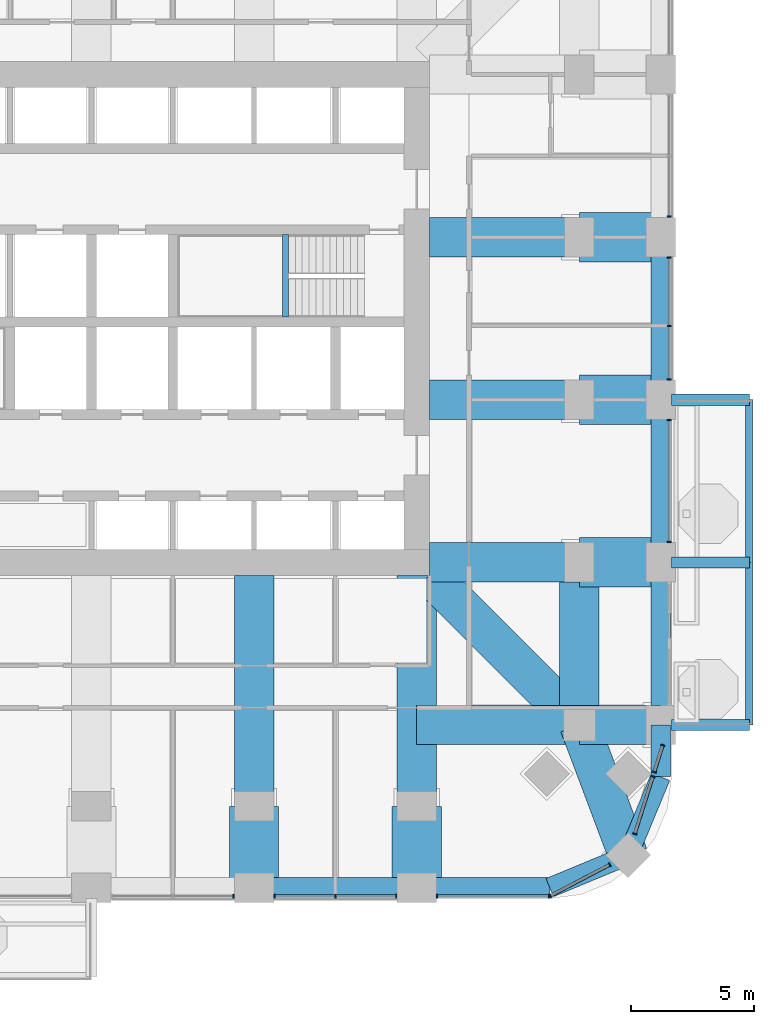
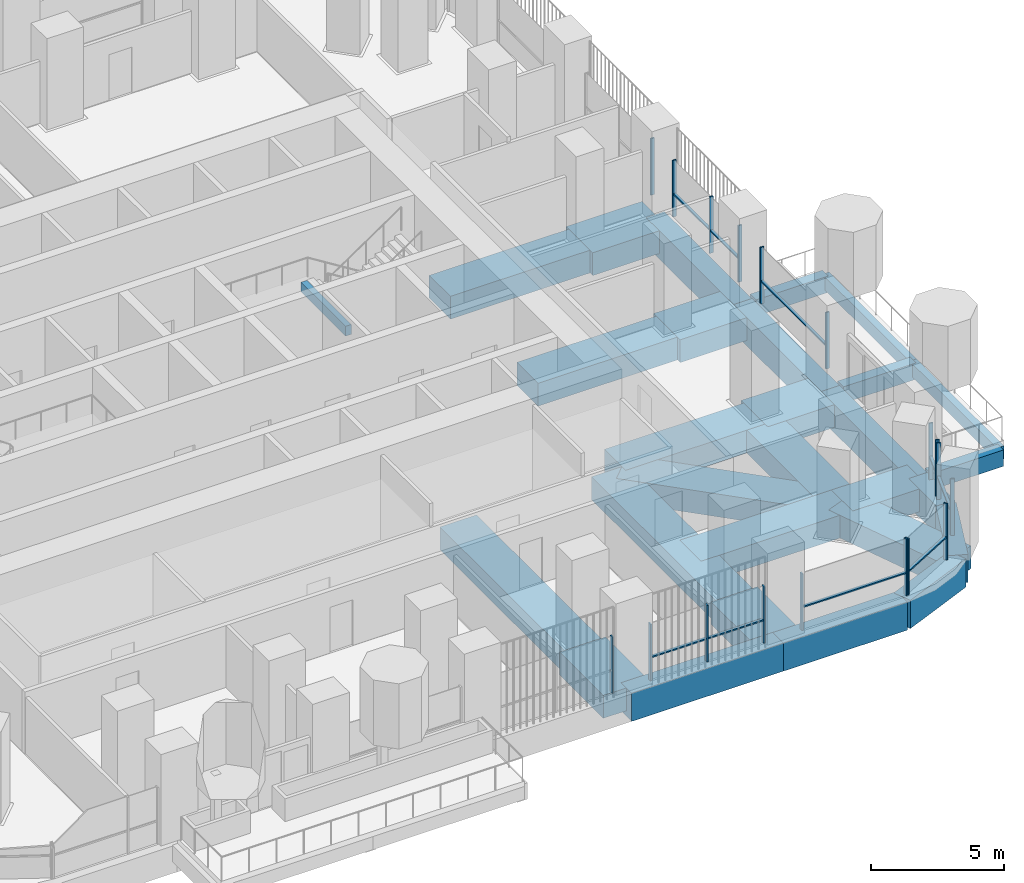
# One storey, part 5 of 21: 29 beams, 27 members, 9 elements without a shape of their own.
"""IFC4 building model written with IfcOpenShell, lengths in metres."""

import ifcopenshell
import ifcopenshell.guid

model = None  # the IFC model being written
_history = None  # IfcOwnerHistory: only IFC2X3 demands one
_inside = {}  # id of a spatial element -> (the spatial element, [elements in it])
_under = {}  # id of a project, library or spatial element -> (it, [spatial elements below it])
_declared = {}  # id of a project -> (the project, [libraries it declares])
_typed = {}  # id of a type object -> (the type object, [elements of that type])
_made_of = {}  # id of a material, layer set ... -> (it, [elements and type objects made of it])


def new_model(schema):
    """Start an empty IFC model of exactly this schema.

    Asked for "IFC4X3", IfcOpenShell would pick the latest addendum, in which some entities
    have other attributes; the version numbers below select the first issue.
    IFC2X3 requires an IfcOwnerHistory on every rooted entity: one is made here for all.
    """
    global model, _history
    if schema == "IFC4X3":
        model = ifcopenshell.file(schema_version=(4, 3, 0, 0))
    else:
        model = ifcopenshell.file(schema=schema)
    _inside.clear()
    _under.clear()
    _declared.clear()
    _typed.clear()
    _made_of.clear()
    _history = None
    if model.schema == "IFC2X3":
        org = make("IfcOrganization", Name="unknown")
        user = make(
            "IfcPersonAndOrganization",
            ThePerson=make("IfcPerson", FamilyName="unknown"),
            TheOrganization=org,
        )
        app = make(
            "IfcApplication",
            ApplicationDeveloper=org,
            Version="unknown",
            ApplicationFullName="unknown",
            ApplicationIdentifier="unknown",
        )
        _history = make(
            "IfcOwnerHistory",
            OwningUser=user,
            OwningApplication=app,
            ChangeAction="ADDED",
            CreationDate=0,
        )
    return model


def make(cls, **values):
    """One entity of the class cls with the attributes given. An attribute that is None is left unset."""
    return model.create_entity(
        cls, **{name: value for name, value in values.items() if value is not None}
    )


def rooted(cls, **values):
    """An entity with a GlobalId (a new one), such as an element, a storey or a relation."""
    return make(cls, GlobalId=ifcopenshell.guid.new(), OwnerHistory=_history, **values)


def si_unit(unit_type, name, prefix=None):
    """IfcSIUnit, for example si_unit("LENGTHUNIT", "METRE", prefix="MILLI")."""
    return make("IfcSIUnit", UnitType=unit_type, Prefix=prefix, Name=name)


def assignment(units):
    """IfcUnitAssignment: the units of a project."""
    return None if units is None else make("IfcUnitAssignment", Units=units)


def point(xyz):
    """IfcCartesianPoint."""
    return None if xyz is None else make("IfcCartesianPoint", Coordinates=xyz)


def direction(xyz):
    """IfcDirection."""
    return None if xyz is None else make("IfcDirection", DirectionRatios=xyz)


def frame(location, z_axis=None, x_axis=None):
    """IfcAxis2Placement3D, a coordinate frame: its origin and axes. An axis left out is left unset."""
    return make(
        "IfcAxis2Placement3D",
        Location=point(location),
        Axis=direction(z_axis),
        RefDirection=direction(x_axis),
    )


def frame_2d(location, x_axis=None):
    """IfcAxis2Placement2D, a coordinate frame in the plane: its origin and x axis."""
    return make(
        "IfcAxis2Placement2D", Location=point(location), RefDirection=direction(x_axis)
    )


def origin():
    """The frame at (0, 0, 0) with its axes left unset."""
    return frame((0.0, 0.0, 0.0))


def origin_2d():
    """The frame at (0, 0) in the plane with its x axis left unset."""
    return frame_2d((0.0, 0.0))


def place(relative_to, where):
    """IfcLocalPlacement: puts the frame where relative to a parent placement (None: the world)."""
    return make(
        "IfcLocalPlacement", PlacementRelTo=relative_to, RelativePlacement=where
    )


def context(
    kind, dimensions, precision=None, world=None, true_north=None, identifier=None
):
    """IfcGeometricRepresentationContext, for example the 3D "Model" context."""
    return make(
        "IfcGeometricRepresentationContext",
        ContextIdentifier=identifier,
        ContextType=kind,
        CoordinateSpaceDimension=dimensions,
        Precision=precision,
        WorldCoordinateSystem=world,
        TrueNorth=true_north,
    )


def subcontext(parent, identifier, kind, view, scale=None):
    """IfcGeometricRepresentationSubContext, for example "Body" below "Model"."""
    return make(
        "IfcGeometricRepresentationSubContext",
        ContextIdentifier=identifier,
        ContextType=kind,
        ParentContext=parent,
        TargetScale=scale,
        TargetView=view,
    )


def project(units=None, contexts=None):
    """IfcProject with its units and contexts."""
    return rooted(
        "IfcProject",
        Name="project",
        RepresentationContexts=contexts,
        UnitsInContext=assignment(units),
    )


def spatial(cls, under=None, at=None, **own):
    """A site, building, storey or space (cls), placed at a placement, below another one or the project."""
    s = rooted(cls, ObjectPlacement=at, **own)
    if under is not None:
        _under.setdefault(under.id(), (under, []))[1].append(s)
    return s


def profile(cls, at=None, kind="AREA", **sizes):
    """A parametric profile (cls). Its sizes go by their IFC names, for example OverallWidth=200.0."""
    return make(cls, ProfileType=kind, Position=at, **sizes)


def rectangle(**sizes):
    """IfcRectangleProfileDef."""
    return profile("IfcRectangleProfileDef", **sizes)


def extrude(swept, where, along, depth):
    """IfcExtrudedAreaSolid: the profile swept, set in the frame where, extruded along a direction by depth."""
    return make(
        "IfcExtrudedAreaSolid",
        SweptArea=swept,
        Position=where,
        ExtrudedDirection=direction(along),
        Depth=depth,
    )


def shape(context_of_items, identifier, shape_type, items):
    """IfcShapeRepresentation: the items that make up one representation, for example the "Body"."""
    return make(
        "IfcShapeRepresentation",
        ContextOfItems=context_of_items,
        RepresentationIdentifier=identifier,
        RepresentationType=shape_type,
        Items=items,
    )


def material(Name=None, Category=None):
    """IfcMaterial."""
    return make("IfcMaterial", Name=Name, Category=Category)


def material_profile(
    of_material, cross_section, Name=None, Category=None, Priority=None
):
    """IfcMaterialProfile: a cross section and its material."""
    return make(
        "IfcMaterialProfile",
        Name=Name,
        Material=of_material,
        Profile=cross_section,
        Priority=Priority,
        Category=Category,
    )


def profile_set(profiles, Name=None, composite=None):
    """IfcMaterialProfileSet."""
    return make(
        "IfcMaterialProfileSet",
        Name=Name,
        MaterialProfiles=profiles,
        CompositeProfile=composite,
    )


def made_of(thing, what):
    """Note that an element or type object is made of a material, layer set ...; save() writes the relation."""
    if what is not None:
        _made_of.setdefault(what.id(), (what, []))[1].append(thing)
    return thing


def type_object(cls, material=None, **own):
    """A type object (cls), such as IfcWallType, which elements share."""
    return made_of(rooted(cls, **own), material)


def element(
    cls,
    number,
    at=None,
    inside=None,
    cuts=None,
    type_object=None,
    material=None,
    context=None,
    identifier="Body",
    shape_type=None,
    held_by="IfcProductDefinitionShape",
    body=None,
    shapes=None,
    **own,
):
    """One element of the class cls, such as IfcWall. Its Tag is "e" and its number.

    at: its placement. inside: the storey or other place that contains it. cuts: it is an
    opening in that element (IfcRelVoidsElement). A single representation is given by context,
    identifier, shape_type and body (its items); several are given by shapes. held_by: the class
    of the entity that holds the representations. save() writes the other relations.
    """
    e = rooted(cls, Tag="e%d" % number, ObjectPlacement=at, **own)
    if body is not None:
        shapes = [shape(context, identifier, shape_type, body)]
    if shapes is not None:
        e.Representation = make(held_by, Representations=shapes)
    if inside is not None:
        _inside.setdefault(inside.id(), (inside, []))[1].append(e)
    if cuts is not None:
        rooted(
            "IfcRelVoidsElement", RelatingBuildingElement=cuts, RelatedOpeningElement=e
        )
    if type_object is not None:
        _typed.setdefault(type_object.id(), (type_object, []))[1].append(e)
    return made_of(e, material)


def aggregate(whole, parts):
    """IfcRelAggregates: a whole, such as a stair, and the parts it consists of."""
    return rooted("IfcRelAggregates", RelatingObject=whole, RelatedObjects=parts)


def save(model, path):
    """Write the relations noted so far, then the file.

    IfcRelAggregates (storeys below a building ...), IfcRelContainedInSpatialStructure (elements
    in a storey), IfcRelDefinesByType, IfcRelAssociatesMaterial and IfcRelDeclares: one each for
    every whole, place, type object, material and project.
    """
    for whole, parts in _under.values():
        aggregate(whole, parts)
    for where, things in _inside.values():
        rooted(
            "IfcRelContainedInSpatialStructure",
            RelatedElements=things,
            RelatingStructure=where,
        )
    for kind, things in _typed.values():
        rooted("IfcRelDefinesByType", RelatedObjects=things, RelatingType=kind)
    for what, things in _made_of.values():
        rooted("IfcRelAssociatesMaterial", RelatedObjects=things, RelatingMaterial=what)
    for by, libraries in _declared.values():
        rooted("IfcRelDeclares", RelatingContext=by, RelatedDefinitions=libraries)
    model.write(path)


model = new_model("IFC4")

# Units and contexts
model_context = context("Model", 3, precision=1e-05, world=origin(), true_north=direction((0.0, 1.0)))
body_context = subcontext(model_context, "Body", "Model", "MODEL_VIEW")
ifc_project = project(units=[si_unit("LENGTHUNIT", "METRE"), si_unit("AREAUNIT", "SQUARE_METRE"), si_unit("VOLUMEUNIT", "CUBIC_METRE"), si_unit("PLANEANGLEUNIT", "RADIAN"), si_unit("MASSUNIT", "GRAM", prefix="KILO")], contexts=[model_context])

# Site, building, storey
site_placement = place(None, origin())
site = spatial("IfcSite", under=ifc_project, at=site_placement, CompositionType="ELEMENT")
building_placement = place(site_placement, origin())
building = spatial("IfcBuilding", under=site, at=building_placement, Name="Cobogo Forest Laboratory Tower", CompositionType="ELEMENT")
storey_placement = place(building_placement, frame((0.0, 0.0, 141.0)))
storey = spatial("IfcBuildingStorey", under=building, at=storey_placement, Name="L32", CompositionType="ELEMENT", Elevation=141.0)

# Beams
ifc_material_1 = material(Name="Concrete HA-40 (C40/50)", Category="concrete")
ifc_material_profile_1 = material_profile(ifc_material_1, rectangle(XDim=0.449951171875, YDim=0.75, at=origin_2d()), Name="RC 450x750")
ifc_profile_set_1 = profile_set([ifc_material_profile_1], Name="Concrete HA-40 (C40/50)")
beam_type_1 = type_object("IfcBeamType", Name="Balcony cantilever beam 450x750", PredefinedType="BEAM", material=ifc_profile_set_1)
for number, where, z_axis, x_axis, name in (
    (1, (49.949951171875, 6.60009765625, -0.625), (1.0, 0.0, 0.0), (0.0, 1.0, 0.0), "CB1 BAL-E1-C1 L32"),
    (2, (49.949951171875, 13.199951171875, -0.625), (1.0, 0.0, 0.0), (0.0, 1.0, 0.0), "CB1 BAL-E1-C2 L32"),
    (3, (49.949951171875, 19.800048828125, -0.625), (1.0, 0.0, 0.0), (0.0, 1.0, 0.0), "CB1 BAL-E1-C3 L32"),
):
    element("IfcBeam", number, at=place(storey_placement, frame(where, z_axis=z_axis, x_axis=x_axis)), inside=storey, type_object=beam_type_1, Name=name, PredefinedType="BEAM", context=body_context, shape_type="SweptSolid", body=[
        extrude(rectangle(XDim=0.449951171875, YDim=0.75, at=origin_2d()), origin(), (0.0, 0.0, 1.0), 3.150146484375),
    ])
ifc_material_profile_2 = material_profile(ifc_material_1, rectangle(XDim=0.300048828125, YDim=0.60009765625, at=origin_2d()), Name="RC 300x600")
ifc_profile_set_2 = profile_set([ifc_material_profile_2], Name="Concrete HA-40 (C40/50)")
beam_type_2 = type_object("IfcBeamType", Name="Balcony edge beam 300x600", PredefinedType="BEAM", material=ifc_profile_set_2)
beam_1_placement = place(storey_placement, frame((53.10009765625, 6.60009765625, -0.550048828125), z_axis=(0.0, 1.0, 0.0), x_axis=(-1.0, 0.0, 0.0)))
element("IfcBeam", 4, at=beam_1_placement, inside=storey, type_object=beam_type_2, Name="BB1 BAL-E1-T1 L32", PredefinedType="BEAM", context=body_context, shape_type="SweptSolid", body=[
    extrude(rectangle(XDim=0.300048828125, YDim=0.60009765625, at=origin_2d()), origin(), (0.0, 0.0, 1.0), 6.599853515625),
])
beam_2_placement = place(storey_placement, frame((53.10009765625, 13.199951171875, -0.550048828125), z_axis=(0.0, 1.0, 0.0), x_axis=(-1.0, 0.0, 0.0)))
element("IfcBeam", 5, at=beam_2_placement, inside=storey, type_object=beam_type_2, Name="BB1 BAL-E1-T2 L32", PredefinedType="BEAM", context=body_context, shape_type="SweptSolid", body=[
    extrude(rectangle(XDim=0.300048828125, YDim=0.60009765625, at=origin_2d()), origin(), (0.0, 0.0, 1.0), 6.60009765625),
])
ifc_material_2 = material(Name="Concrete HA-50 (C50/60)", Category="concrete")
ifc_material_profile_3 = material_profile(ifc_material_2, rectangle(XDim=2.0, YDim=1.050048828125, at=origin_2d()), Name="RC 2000x1050")
ifc_profile_set_3 = profile_set([ifc_material_profile_3], Name="Concrete HA-50 (C50/60)")
beam_type_3 = type_object("IfcBeamType", Name="End-bay wide beam 2000x1050", PredefinedType="BEAM", material=ifc_profile_set_3)
for number, where, z_axis, x_axis, name in (
    (6, (33.0, 0.0, -0.824951171875), (0.0, 1.0, 0.0), (-1.0, 0.0, 0.0), "RB7 R-6-S-X L32"),
    (7, (39.60009765625, 0.0, -0.824951171875), (0.0, 1.0, 0.0), (-1.0, 0.0, 0.0), "RB7 R-7-S-X L32"),
    (8, (49.5, 13.199951171875, -0.824951171875), (-1.0, 0.0, 0.0), (0.0, -1.0, 0.0), "RB7 R-C-E-X L32"),
    (9, (49.5, 19.800048828125, -0.824951171875), (-1.0, 0.0, 0.0), (0.0, -1.0, 0.0), "RB7 R-D-E-X L32"),
    (10, (49.5, 26.39990234375, -0.824951171875), (-1.0, 0.0, 0.0), (0.0, -1.0, 0.0), "RB7 R-E-E-X L32"),
):
    element("IfcBeam", number, at=place(storey_placement, frame(where, z_axis=z_axis, x_axis=x_axis)), inside=storey, type_object=beam_type_3, Name=name, PredefinedType="BEAM", context=body_context, shape_type="SweptSolid", body=[
        extrude(rectangle(XDim=2.0, YDim=1.050048828125, at=origin_2d()), origin(), (0.0, 0.0, 1.0), 3.300048828125),
    ])
ifc_material_profile_4 = material_profile(ifc_material_1, rectangle(XDim=0.25, YDim=0.449951171875, at=origin_2d()), Name="RC 250x450")
ifc_profile_set_4 = profile_set([ifc_material_profile_4], Name="Concrete HA-40 (C40/50)")
beam_type_4 = type_object("IfcBeamType", Name="LB1 landing beam 250x450", PredefinedType="BEAM", material=ifc_profile_set_4)
beam_3_placement = place(storey_placement, frame((34.27001953125, 23.14990234375, 1.675048828125), z_axis=(0.0, 1.0, 0.0), x_axis=(-1.0, 0.0, 0.0)))
element("IfcBeam", 11, at=beam_3_placement, inside=storey, type_object=beam_type_4, Name="Landing beam ST2 L32", PredefinedType="BEAM", context=body_context, shape_type="SweptSolid", body=[
    extrude(rectangle(XDim=0.25, YDim=0.449951171875, at=origin_2d()), origin(), (0.0, 0.0, 1.0), 3.35009765625),
])
ifc_material_profile_5 = material_profile(ifc_material_2, rectangle(XDim=1.60009765625, YDim=1.050048828125, at=origin_2d()), Name="RC 1600x1050")
ifc_profile_set_5 = profile_set([ifc_material_profile_5], Name="Concrete HA-50 (C50/60)")
beam_type_5 = type_object("IfcBeamType", Name="Laboratory floor wide beam 1600x1050", PredefinedType="BEAM", material=ifc_profile_set_5)
for number, where, z_axis, x_axis, name in (
    (12, (33.0, 12.675048828125, -0.824951171875), (0.0, -1.0, 0.0), (1.0, 0.0, 0.0), "RB8 R-6-S L32"),
    (13, (39.60009765625, 12.675048828125, -0.824951171875), (0.0, -1.0, 0.0), (1.0, 0.0, 0.0), "RB8 R-7-S L32"),
):
    element("IfcBeam", number, at=place(storey_placement, frame(where, z_axis=z_axis, x_axis=x_axis)), inside=storey, type_object=beam_type_5, Name=name, PredefinedType="BEAM", context=body_context, shape_type="SweptSolid", body=[
        extrude(rectangle(XDim=1.60009765625, YDim=1.050048828125, at=origin_2d()), origin(), (0.0, 0.0, 1.0), 9.375),
    ])
for number, where, z_axis, x_axis, name in (
    (14, (40.125, 13.199951171875, -0.824951171875), (1.0, 0.0, 0.0), (0.0, 1.0, 0.0), "RB8 R-C-E L32"),
    (15, (40.125, 19.800048828125, -0.824951171875), (1.0, 0.0, 0.0), (0.0, 1.0, 0.0), "RB8 R-D-E L32"),
    (16, (40.125, 26.39990234375, -0.824951171875), (1.0, 0.0, 0.0), (0.0, 1.0, 0.0), "RB8 R-E-E L32"),
):
    element("IfcBeam", number, at=place(storey_placement, frame(where, z_axis=z_axis, x_axis=x_axis)), inside=storey, type_object=beam_type_5, Name=name, PredefinedType="BEAM", context=body_context, shape_type="SweptSolid", body=[
        extrude(rectangle(XDim=1.60009765625, YDim=1.050048828125, at=origin_2d()), origin(), (0.0, 0.0, 1.0), 6.074951171875),
    ])
beam_4_placement = place(storey_placement, frame((46.199951171875, 6.60009765625, -0.824951171875), z_axis=(0.0, 1.0, 0.0), x_axis=(-1.0, 0.0, 0.0)))
element("IfcBeam", 17, at=beam_4_placement, inside=storey, type_object=beam_type_5, Name="RB8 G-SE-XC L32", PredefinedType="BEAM", context=body_context, shape_type="SweptSolid", body=[
    extrude(rectangle(XDim=1.60009765625, YDim=1.050048828125, at=origin_2d()), origin(), (0.0, 0.0, 1.0), 6.599853515625),
])
beam_5_placement = place(storey_placement, frame((49.5, 6.60009765625, -0.824951171875), z_axis=(-1.0, 0.0, 0.0), x_axis=(0.0, -1.0, 0.0)))
element("IfcBeam", 18, at=beam_5_placement, inside=storey, type_object=beam_type_5, Name="RB8 G-SE-YF L32", PredefinedType="BEAM", context=body_context, shape_type="SweptSolid", body=[
    extrude(rectangle(XDim=1.60009765625, YDim=1.050048828125, at=origin_2d()), origin(), (0.0, 0.0, 1.0), 3.300048828125),
])
beam_6_placement = place(storey_placement, frame((46.199951171875, 6.60009765625, -0.824951171875), z_axis=(-1.0, 0.0, 0.0), x_axis=(0.0, -1.0, 0.0)))
element("IfcBeam", 19, at=beam_6_placement, inside=storey, type_object=beam_type_5, Name="RB8 G-SE-YC L32", PredefinedType="BEAM", context=body_context, shape_type="SweptSolid", body=[
    extrude(rectangle(XDim=1.60009765625, YDim=1.050048828125, at=origin_2d()), origin(), (0.0, 0.0, 1.0), 6.599853515625),
])
beam_7_placement = place(storey_placement, frame((48.181884765625, 1.318115234375, -0.824951171875), z_axis=(-0.351308391925, 0.936259800356, 0.0), x_axis=(-0.936259800356, -0.351308391925, 0.0)))
element("IfcBeam", 20, at=beam_7_placement, inside=storey, type_object=beam_type_5, Name="RB8 G-SE-D1 L32", PredefinedType="BEAM", context=body_context, shape_type="SweptSolid", body=[
    extrude(rectangle(XDim=1.60009765625, YDim=1.050048828125, at=origin_2d()), origin(), (0.0, 0.0, 1.0), 5.6416015625),
])
beam_8_placement = place(storey_placement, frame((46.199951171875, 6.60009765625, -0.824951171875), z_axis=(-0.707106781187, 0.707106781187, 0.0), x_axis=(-0.707106781187, -0.707106781187, 0.0)))
element("IfcBeam", 21, at=beam_8_placement, inside=storey, type_object=beam_type_5, Name="RB8 G-SE-D2 L32", PredefinedType="BEAM", context=body_context, shape_type="SweptSolid", body=[
    extrude(rectangle(XDim=1.60009765625, YDim=1.050048828125, at=origin_2d()), origin(), (0.0, 0.0, 1.0), 8.59130859375),
])

# Curtain wall, member
ifc_material_3 = material(Name="Aluminium curtain wall", Category="aluminium")
curtain_wall_type = type_object("IfcCurtainWallType", Name="CW-1 unitised curtain wall, clear glazing, laboratory floors zones A and B", PredefinedType="USERDEFINED", material=ifc_material_3)
curtain_wall_1_placement = place(storey_placement, origin())
curtain_wall_1 = element("IfcCurtainWall", 22, at=curtain_wall_1_placement, inside=storey, type_object=curtain_wall_type, Name="Curtain wall 04 L32", ObjectType="UNITISED CURTAIN WALL", PredefinedType="USERDEFINED")
ifc_material_4 = material(Name="Aluminium mullion", Category="aluminium")
ifc_material_profile_6 = material_profile(ifc_material_4, rectangle(XDim=0.06005859375, YDim=0.159912109375, at=origin_2d()), Name="AL 60x160")
ifc_profile_set_6 = profile_set([ifc_material_profile_6], Name="Aluminium mullion")
member_type_1 = type_object("IfcMemberType", Name="MU-1 aluminium mullion 60x160", PredefinedType="MULLION", material=ifc_profile_set_6)
member_1_placement = place(storey_placement, frame((32.169921875, -0.35009765625, 0.0), z_axis=(0.0, 0.0, 1.0), x_axis=(1.0, 0.0, 0.0)))
member_1 = element("IfcMember", 23, at=member_1_placement, type_object=member_type_1, Name="CW-1 mullion 3", PredefinedType="MULLION", context=body_context, shape_type="SweptSolid", body=[
    extrude(rectangle(XDim=0.06005859375, YDim=0.159912109375, at=origin_2d()), origin(), (0.0, 0.0, 1.0), 2.60009765625),
])
aggregate(curtain_wall_1, [member_1])

# Curtain wall, members
curtain_wall_2_placement = place(storey_placement, origin())
curtain_wall_2 = element("IfcCurtainWall", 24, at=curtain_wall_2_placement, inside=storey, type_object=curtain_wall_type, Name="Curtain wall 05 L32", ObjectType="UNITISED CURTAIN WALL", PredefinedType="USERDEFINED")
member_2_placement = place(storey_placement, frame((33.830078125, -0.35009765625, 0.0), z_axis=(0.0, 0.0, 1.0), x_axis=(1.0, 0.0, 0.0)))
member_2 = element("IfcMember", 25, at=member_2_placement, type_object=member_type_1, Name="CW-1 mullion 1", PredefinedType="MULLION", context=body_context, shape_type="SweptSolid", body=[
    extrude(rectangle(XDim=0.06005859375, YDim=0.159912109375, at=origin_2d()), origin(), (0.0, 0.0, 1.0), 2.60009765625),
])
member_3_placement = place(storey_placement, frame((36.300048828125, -0.35009765625, 0.0), z_axis=(0.0, 0.0, 1.0), x_axis=(1.0, 0.0, 0.0)))
member_3 = element("IfcMember", 26, at=member_3_placement, type_object=member_type_1, Name="CW-1 mullion 2", PredefinedType="MULLION", context=body_context, shape_type="SweptSolid", body=[
    extrude(rectangle(XDim=0.06005859375, YDim=0.159912109375, at=origin_2d()), origin(), (0.0, 0.0, 1.0), 2.60009765625),
])
member_4_placement = place(storey_placement, frame((38.77001953125, -0.35009765625, 0.0), z_axis=(0.0, 0.0, 1.0), x_axis=(1.0, 0.0, 0.0)))
member_4 = element("IfcMember", 27, at=member_4_placement, type_object=member_type_1, Name="CW-1 mullion 3", PredefinedType="MULLION", context=body_context, shape_type="SweptSolid", body=[
    extrude(rectangle(XDim=0.06005859375, YDim=0.159912109375, at=origin_2d()), origin(), (0.0, 0.0, 1.0), 2.60009765625),
])

curtain_wall_3_placement = place(storey_placement, origin())
curtain_wall_3 = element("IfcCurtainWall", 28, at=curtain_wall_3_placement, inside=storey, type_object=curtain_wall_type, Name="Curtain wall 06 L32", ObjectType="UNITISED CURTAIN WALL", PredefinedType="USERDEFINED")
member_5_placement = place(storey_placement, frame((40.429931640625, -0.35009765625, 0.0), z_axis=(0.0, 0.0, 1.0), x_axis=(1.0, 0.0, 0.0)))
member_5 = element("IfcMember", 29, at=member_5_placement, type_object=member_type_1, Name="CW-1 mullion 1", PredefinedType="MULLION", context=body_context, shape_type="SweptSolid", body=[
    extrude(rectangle(XDim=0.06005859375, YDim=0.159912109375, at=origin_2d()), origin(), (0.0, 0.0, 1.0), 2.60009765625),
])
member_6_placement = place(storey_placement, frame((44.969970703125, -0.35009765625, 0.0), z_axis=(0.0, 0.0, 1.0), x_axis=(1.0, 0.0, 0.0)))
member_6 = element("IfcMember", 30, at=member_6_placement, type_object=member_type_1, Name="CW-1 mullion 2", PredefinedType="MULLION", context=body_context, shape_type="SweptSolid", body=[
    extrude(rectangle(XDim=0.06005859375, YDim=0.159912109375, at=origin_2d()), origin(), (0.0, 0.0, 1.0), 2.60009765625),
])

curtain_wall_4_placement = place(storey_placement, origin())
curtain_wall_4 = element("IfcCurtainWall", 31, at=curtain_wall_4_placement, inside=storey, type_object=curtain_wall_type, Name="Curtain wall 07 L32", ObjectType="UNITISED CURTAIN WALL", PredefinedType="USERDEFINED")
member_7_placement = place(storey_placement, frame((45.026611328125, -0.336181640625, 0.0), z_axis=(0.0, 0.0, 1.0), x_axis=(0.885686547075, 0.464283685186, 0.0)))
member_7 = element("IfcMember", 32, at=member_7_placement, type_object=member_type_1, Name="CW-1 mullion 1", PredefinedType="MULLION", context=body_context, shape_type="SweptSolid", body=[
    extrude(rectangle(XDim=0.06005859375, YDim=0.159912109375, at=origin_2d()), origin(), (0.0, 0.0, 1.0), 2.60009765625),
])
member_8_placement = place(storey_placement, frame((47.431640625, 0.9248046875, 0.0), z_axis=(0.0, 0.0, 1.0), x_axis=(0.885686547075, 0.464283685186, 0.0)))
member_8 = element("IfcMember", 33, at=member_8_placement, type_object=member_type_1, Name="CW-1 mullion 2", PredefinedType="MULLION", context=body_context, shape_type="SweptSolid", body=[
    extrude(rectangle(XDim=0.06005859375, YDim=0.159912109375, at=origin_2d()), origin(), (0.0, 0.0, 1.0), 2.60009765625),
])

curtain_wall_5_placement = place(storey_placement, origin())
curtain_wall_5 = element("IfcCurtainWall", 34, at=curtain_wall_5_placement, inside=storey, type_object=curtain_wall_type, Name="Curtain wall 08 L32", ObjectType="UNITISED CURTAIN WALL", PredefinedType="USERDEFINED")
member_9_placement = place(storey_placement, frame((48.455810546875, 2.18505859375, 0.0), z_axis=(0.0, 0.0, 1.0), x_axis=(0.301135291996, 0.953581425949, 0.0)))
member_9 = element("IfcMember", 35, at=member_9_placement, type_object=member_type_1, Name="CW-1 mullion 1", PredefinedType="MULLION", context=body_context, shape_type="SweptSolid", body=[
    extrude(rectangle(XDim=0.06005859375, YDim=0.159912109375, at=origin_2d()), origin(), (0.0, 0.0, 1.0), 2.60009765625),
])
member_10_placement = place(storey_placement, frame((49.18701171875, 4.500244140625, 0.0), z_axis=(0.0, 0.0, 1.0), x_axis=(0.301135291996, 0.953581425949, 0.0)))
member_10 = element("IfcMember", 36, at=member_10_placement, type_object=member_type_1, Name="CW-1 mullion 2", PredefinedType="MULLION", context=body_context, shape_type="SweptSolid", body=[
    extrude(rectangle(XDim=0.06005859375, YDim=0.159912109375, at=origin_2d()), origin(), (0.0, 0.0, 1.0), 2.60009765625),
])

curtain_wall_6_placement = place(storey_placement, origin())
curtain_wall_6 = element("IfcCurtainWall", 37, at=curtain_wall_6_placement, inside=storey, type_object=curtain_wall_type, Name="Curtain wall 09 L32", ObjectType="UNITISED CURTAIN WALL", PredefinedType="USERDEFINED")
member_11_placement = place(storey_placement, frame((49.247802734375, 4.69287109375, 0.0), z_axis=(0.0, 0.0, 1.0), x_axis=(0.301135667865, 0.953581307252, 0.0)))
member_11 = element("IfcMember", 38, at=member_11_placement, type_object=member_type_1, Name="CW-1 mullion 1", PredefinedType="MULLION", context=body_context, shape_type="SweptSolid", body=[
    extrude(rectangle(XDim=0.06005859375, YDim=0.159912109375, at=origin_2d()), origin(), (0.0, 0.0, 1.0), 2.60009765625),
])
member_12_placement = place(storey_placement, frame((49.58837890625, 5.771484375, 0.0), z_axis=(0.0, 0.0, 1.0), x_axis=(0.301135667865, 0.953581307252, 0.0)))
member_12 = element("IfcMember", 39, at=member_12_placement, type_object=member_type_1, Name="CW-1 mullion 2", PredefinedType="MULLION", context=body_context, shape_type="SweptSolid", body=[
    extrude(rectangle(XDim=0.06005859375, YDim=0.159912109375, at=origin_2d()), origin(), (0.0, 0.0, 1.0), 2.60009765625),
])

curtain_wall_7_placement = place(storey_placement, origin())
curtain_wall_7 = element("IfcCurtainWall", 40, at=curtain_wall_7_placement, inside=storey, type_object=curtain_wall_type, Name="Curtain wall 11 L32", ObjectType="UNITISED CURTAIN WALL", PredefinedType="USERDEFINED")
member_13_placement = place(storey_placement, frame((49.85009765625, 14.030029296875, 0.0), z_axis=(0.0, 0.0, 1.0), x_axis=(0.0, 1.0, 0.0)))
member_13 = element("IfcMember", 41, at=member_13_placement, type_object=member_type_1, Name="CW-1 mullion 1", PredefinedType="MULLION", context=body_context, shape_type="SweptSolid", body=[
    extrude(rectangle(XDim=0.06005859375, YDim=0.159912109375, at=origin_2d()), origin(), (0.0, 0.0, 1.0), 2.60009765625),
])
member_14_placement = place(storey_placement, frame((49.85009765625, 18.969970703125, 0.0), z_axis=(0.0, 0.0, 1.0), x_axis=(0.0, 1.0, 0.0)))
member_14 = element("IfcMember", 42, at=member_14_placement, type_object=member_type_1, Name="CW-1 mullion 2", PredefinedType="MULLION", context=body_context, shape_type="SweptSolid", body=[
    extrude(rectangle(XDim=0.06005859375, YDim=0.159912109375, at=origin_2d()), origin(), (0.0, 0.0, 1.0), 2.60009765625),
])

curtain_wall_8_placement = place(storey_placement, origin())
curtain_wall_8 = element("IfcCurtainWall", 43, at=curtain_wall_8_placement, inside=storey, type_object=curtain_wall_type, Name="Curtain wall 12 L32", ObjectType="UNITISED CURTAIN WALL", PredefinedType="USERDEFINED")
member_15_placement = place(storey_placement, frame((49.85009765625, 20.6298828125, 0.0), z_axis=(0.0, 0.0, 1.0), x_axis=(0.0, 1.0, 0.0)))
member_15 = element("IfcMember", 44, at=member_15_placement, type_object=member_type_1, Name="CW-1 mullion 1", PredefinedType="MULLION", context=body_context, shape_type="SweptSolid", body=[
    extrude(rectangle(XDim=0.06005859375, YDim=0.159912109375, at=origin_2d()), origin(), (0.0, 0.0, 1.0), 2.60009765625),
])
member_16_placement = place(storey_placement, frame((49.85009765625, 22.800048828125, 0.0), z_axis=(0.0, 0.0, 1.0), x_axis=(0.0, 1.0, 0.0)))
member_16 = element("IfcMember", 45, at=member_16_placement, type_object=member_type_1, Name="CW-1 mullion 2", PredefinedType="MULLION", context=body_context, shape_type="SweptSolid", body=[
    extrude(rectangle(XDim=0.06005859375, YDim=0.159912109375, at=origin_2d()), origin(), (0.0, 0.0, 1.0), 2.60009765625),
])
member_17_placement = place(storey_placement, frame((49.85009765625, 25.570068359375, 0.0), z_axis=(0.0, 0.0, 1.0), x_axis=(0.0, 1.0, 0.0)))
member_17 = element("IfcMember", 46, at=member_17_placement, type_object=member_type_1, Name="CW-1 mullion 3", PredefinedType="MULLION", context=body_context, shape_type="SweptSolid", body=[
    extrude(rectangle(XDim=0.06005859375, YDim=0.159912109375, at=origin_2d()), origin(), (0.0, 0.0, 1.0), 2.60009765625),
])

# Curtain wall, member
curtain_wall_9_placement = place(storey_placement, origin())
curtain_wall_9 = element("IfcCurtainWall", 47, at=curtain_wall_9_placement, inside=storey, type_object=curtain_wall_type, Name="Curtain wall 13 L32", ObjectType="UNITISED CURTAIN WALL", PredefinedType="USERDEFINED")
member_18_placement = place(storey_placement, frame((49.85009765625, 27.22998046875, 0.0), z_axis=(0.0, 0.0, 1.0), x_axis=(0.0, 1.0, 0.0)))
member_18 = element("IfcMember", 48, at=member_18_placement, type_object=member_type_1, Name="CW-1 mullion 1", PredefinedType="MULLION", context=body_context, shape_type="SweptSolid", body=[
    extrude(rectangle(XDim=0.06005859375, YDim=0.159912109375, at=origin_2d()), origin(), (0.0, 0.0, 1.0), 2.60009765625),
])
aggregate(curtain_wall_9, [member_18])

# Beams
ifc_material_profile_7 = material_profile(ifc_material_1, rectangle(XDim=0.800048828125, YDim=1.300048828125, at=origin_2d()), Name="RC 800x1300")
ifc_profile_set_7 = profile_set([ifc_material_profile_7], Name="Concrete HA-40 (C40/50)")
beam_type_6 = type_object("IfcBeamType", Name="Perimeter edge beam 800x1300", PredefinedType="BEAM", material=ifc_profile_set_7)
beam_9_placement = place(storey_placement, frame((33.0, 0.0, -0.949951171875), z_axis=(1.0, 0.0, 0.0), x_axis=(0.0, 1.0, 0.0)))
element("IfcBeam", 49, at=beam_9_placement, inside=storey, type_object=beam_type_6, Name="EB2 E-S4 L32", PredefinedType="BEAM", context=body_context, shape_type="SweptSolid", body=[
    extrude(rectangle(XDim=0.800048828125, YDim=1.300048828125, at=origin_2d()), origin(), (0.0, 0.0, 1.0), 6.60009765625),
])
beam_10_placement = place(storey_placement, frame((49.5, 6.60009765625, -0.949951171875), z_axis=(0.0, 1.0, 0.0), x_axis=(-1.0, 0.0, 0.0)))
element("IfcBeam", 50, at=beam_10_placement, inside=storey, type_object=beam_type_6, Name="EB2 E-E1 L32", PredefinedType="BEAM", context=body_context, shape_type="SweptSolid", body=[
    extrude(rectangle(XDim=0.800048828125, YDim=1.300048828125, at=origin_2d()), origin(), (0.0, 0.0, 1.0), 6.599853515625),
])
beam_11_placement = place(storey_placement, frame((49.5, 13.199951171875, -0.949951171875), z_axis=(0.0, 1.0, 0.0), x_axis=(-1.0, 0.0, 0.0)))
element("IfcBeam", 51, at=beam_11_placement, inside=storey, type_object=beam_type_6, Name="EB2 E-E2 L32", PredefinedType="BEAM", context=body_context, shape_type="SweptSolid", body=[
    extrude(rectangle(XDim=0.800048828125, YDim=1.300048828125, at=origin_2d()), origin(), (0.0, 0.0, 1.0), 6.60009765625),
])
beam_12_placement = place(storey_placement, frame((49.5, 19.800048828125, -0.949951171875), z_axis=(0.0, 1.0, 0.0), x_axis=(-1.0, 0.0, 0.0)))
element("IfcBeam", 52, at=beam_12_placement, inside=storey, type_object=beam_type_6, Name="EB2 E-E3 L32", PredefinedType="BEAM", context=body_context, shape_type="SweptSolid", body=[
    extrude(rectangle(XDim=0.800048828125, YDim=1.300048828125, at=origin_2d()), origin(), (0.0, 0.0, 1.0), 6.599853515625),
])
beam_13_placement = place(storey_placement, frame((39.60009765625, 0.0, -0.949951171875), z_axis=(1.0, 0.0, 0.0), x_axis=(0.0, 1.0, 0.0)))
element("IfcBeam", 53, at=beam_13_placement, inside=storey, type_object=beam_type_6, Name="EB2 E-SES1 L32", PredefinedType="BEAM", context=body_context, shape_type="SweptSolid", body=[
    extrude(rectangle(XDim=0.800048828125, YDim=1.300048828125, at=origin_2d()), origin(), (0.0, 0.0, 1.0), 5.39990234375),
])
beam_14_placement = place(storey_placement, frame((45.0, 0.0, -0.949951171875), z_axis=(0.923865631356, 0.382716990999, 0.0), x_axis=(-0.382716990999, 0.923865631356, 0.0)))
element("IfcBeam", 54, at=beam_14_placement, inside=storey, type_object=beam_type_6, Name="EB2 E-SES2 L32", PredefinedType="BEAM", context=body_context, shape_type="SweptSolid", body=[
    extrude(rectangle(XDim=0.800048828125, YDim=1.300048828125, at=origin_2d()), origin(), (0.0, 0.0, 1.0), 3.444091796875),
])
beam_15_placement = place(storey_placement, frame((49.5, 6.60009765625, -0.949951171875), z_axis=(0.0, -1.0, 0.0), x_axis=(1.0, 0.0, 0.0)))
element("IfcBeam", 55, at=beam_15_placement, inside=storey, type_object=beam_type_6, Name="EB2 E-SEE1 L32", PredefinedType="BEAM", context=body_context, shape_type="SweptSolid", body=[
    extrude(rectangle(XDim=0.800048828125, YDim=1.300048828125, at=origin_2d()), origin(), (0.0, 0.0, 1.0), 2.10009765625),
])
beam_16_placement = place(storey_placement, frame((49.5, 4.5, -0.949951171875), z_axis=(-0.382716990999, -0.923865631356, 0.0), x_axis=(0.923865631356, -0.382716990999, 0.0)))
element("IfcBeam", 56, at=beam_16_placement, inside=storey, type_object=beam_type_6, Name="EB2 E-SEE2 L32", PredefinedType="BEAM", context=body_context, shape_type="SweptSolid", body=[
    extrude(rectangle(XDim=0.800048828125, YDim=1.300048828125, at=origin_2d()), origin(), (0.0, 0.0, 1.0), 3.444091796875),
])

# Member
ifc_material_5 = material(Name="Aluminium transom", Category="aluminium")
ifc_material_profile_8 = material_profile(ifc_material_5, rectangle(XDim=0.1201171875, YDim=0.06005859375, at=origin_2d()), Name="AL 60x120")
ifc_profile_set_8 = profile_set([ifc_material_profile_8], Name="Aluminium transom")
member_type_2 = type_object("IfcMemberType", Name="TR-1 aluminium transom 60x120", PredefinedType="USERDEFINED", material=ifc_profile_set_8)
member_19_placement = place(storey_placement, frame((33.860107421875, -0.35009765625, 1.050048828125), z_axis=(1.0, 0.0, 0.0), x_axis=(0.0, 1.0, 0.0)))
member_19 = element("IfcMember", 57, at=member_19_placement, type_object=member_type_2, Name="CW-1 transom 1.1", ObjectType="TRANSOM", PredefinedType="USERDEFINED", context=body_context, shape_type="SweptSolid", body=[
    extrude(rectangle(XDim=0.1201171875, YDim=0.06005859375, at=origin_2d()), origin(), (0.0, 0.0, 1.0), 2.409912109375),
])

member_20_placement = place(storey_placement, frame((36.330078125, -0.35009765625, 1.050048828125), z_axis=(1.0, 0.0, 0.0), x_axis=(0.0, 1.0, 0.0)))
member_20 = element("IfcMember", 58, at=member_20_placement, type_object=member_type_2, Name="CW-1 transom 2.1", ObjectType="TRANSOM", PredefinedType="USERDEFINED", context=body_context, shape_type="SweptSolid", body=[
    extrude(rectangle(XDim=0.1201171875, YDim=0.06005859375, at=origin_2d()), origin(), (0.0, 0.0, 1.0), 2.409912109375),
])

aggregate(curtain_wall_2, [member_2, member_3, member_4, member_19, member_20])

member_21_placement = place(storey_placement, frame((40.4599609375, -0.35009765625, 1.050048828125), z_axis=(1.0, 0.0, 0.0), x_axis=(0.0, 1.0, 0.0)))
member_21 = element("IfcMember", 59, at=member_21_placement, type_object=member_type_2, Name="CW-1 transom 1.1", ObjectType="TRANSOM", PredefinedType="USERDEFINED", context=body_context, shape_type="SweptSolid", body=[
    extrude(rectangle(XDim=0.1201171875, YDim=0.06005859375, at=origin_2d()), origin(), (0.0, 0.0, 1.0), 4.47998046875),
])

aggregate(curtain_wall_3, [member_5, member_6, member_21])

member_22_placement = place(storey_placement, frame((45.05322265625, -0.322021484375, 1.050048828125), z_axis=(0.885674922116, 0.464305860758, 0.0), x_axis=(-0.464305860758, 0.885674922116, 0.0)))
member_22 = element("IfcMember", 60, at=member_22_placement, type_object=member_type_2, Name="CW-1 transom 1.1", ObjectType="TRANSOM", PredefinedType="USERDEFINED", context=body_context, shape_type="SweptSolid", body=[
    extrude(rectangle(XDim=0.1201171875, YDim=0.06005859375, at=origin_2d()), origin(), (0.0, 0.0, 1.0), 2.6552734375),
])

aggregate(curtain_wall_4, [member_7, member_8, member_22])

member_23_placement = place(storey_placement, frame((48.46484375, 2.213623046875, 1.050048828125), z_axis=(0.301156039198, 0.953574873859, 0.0), x_axis=(-0.953574873859, 0.301156039198, 0.0)))
member_23 = element("IfcMember", 61, at=member_23_placement, type_object=member_type_2, Name="CW-1 transom 1.1", ObjectType="TRANSOM", PredefinedType="USERDEFINED", context=body_context, shape_type="SweptSolid", body=[
    extrude(rectangle(XDim=0.1201171875, YDim=0.06005859375, at=origin_2d()), origin(), (0.0, 0.0, 1.0), 2.367919921875),
])

aggregate(curtain_wall_5, [member_9, member_10, member_23])

member_24_placement = place(storey_placement, frame((49.2568359375, 4.7216796875, 1.050048828125), z_axis=(0.301207754852, 0.953558539586, 0.0), x_axis=(-0.953558539586, 0.301207754852, 0.0)))
member_24 = element("IfcMember", 62, at=member_24_placement, type_object=member_type_2, Name="CW-1 transom 1.1", ObjectType="TRANSOM", PredefinedType="USERDEFINED", context=body_context, shape_type="SweptSolid", body=[
    extrude(rectangle(XDim=0.1201171875, YDim=0.06005859375, at=origin_2d()), origin(), (0.0, 0.0, 1.0), 1.07080078125),
])

aggregate(curtain_wall_6, [member_11, member_12, member_24])

member_25_placement = place(storey_placement, frame((49.85009765625, 14.06005859375, 1.050048828125), z_axis=(0.0, 1.0, 0.0), x_axis=(-1.0, 0.0, 0.0)))
member_25 = element("IfcMember", 63, at=member_25_placement, type_object=member_type_2, Name="CW-1 transom 1.1", ObjectType="TRANSOM", PredefinedType="USERDEFINED", context=body_context, shape_type="SweptSolid", body=[
    extrude(rectangle(XDim=0.1201171875, YDim=0.06005859375, at=origin_2d()), origin(), (0.0, 0.0, 1.0), 4.8798828125),
])

aggregate(curtain_wall_7, [member_13, member_14, member_25])

member_26_placement = place(storey_placement, frame((49.85009765625, 20.659912109375, 1.050048828125), z_axis=(0.0, 1.0, 0.0), x_axis=(-1.0, 0.0, 0.0)))
member_26 = element("IfcMember", 64, at=member_26_placement, type_object=member_type_2, Name="CW-1 transom 1.1", ObjectType="TRANSOM", PredefinedType="USERDEFINED", context=body_context, shape_type="SweptSolid", body=[
    extrude(rectangle(XDim=0.1201171875, YDim=0.06005859375, at=origin_2d()), origin(), (0.0, 0.0, 1.0), 2.110107421875),
])

member_27_placement = place(storey_placement, frame((49.85009765625, 22.830078125, 1.050048828125), z_axis=(0.0, 1.0, 0.0), x_axis=(-1.0, 0.0, 0.0)))
member_27 = element("IfcMember", 65, at=member_27_placement, type_object=member_type_2, Name="CW-1 transom 2.1", ObjectType="TRANSOM", PredefinedType="USERDEFINED", context=body_context, shape_type="SweptSolid", body=[
    extrude(rectangle(XDim=0.1201171875, YDim=0.06005859375, at=origin_2d()), origin(), (0.0, 0.0, 1.0), 2.7099609375),
])

aggregate(curtain_wall_8, [member_15, member_16, member_17, member_26, member_27])

save(model, "model.ifc")
